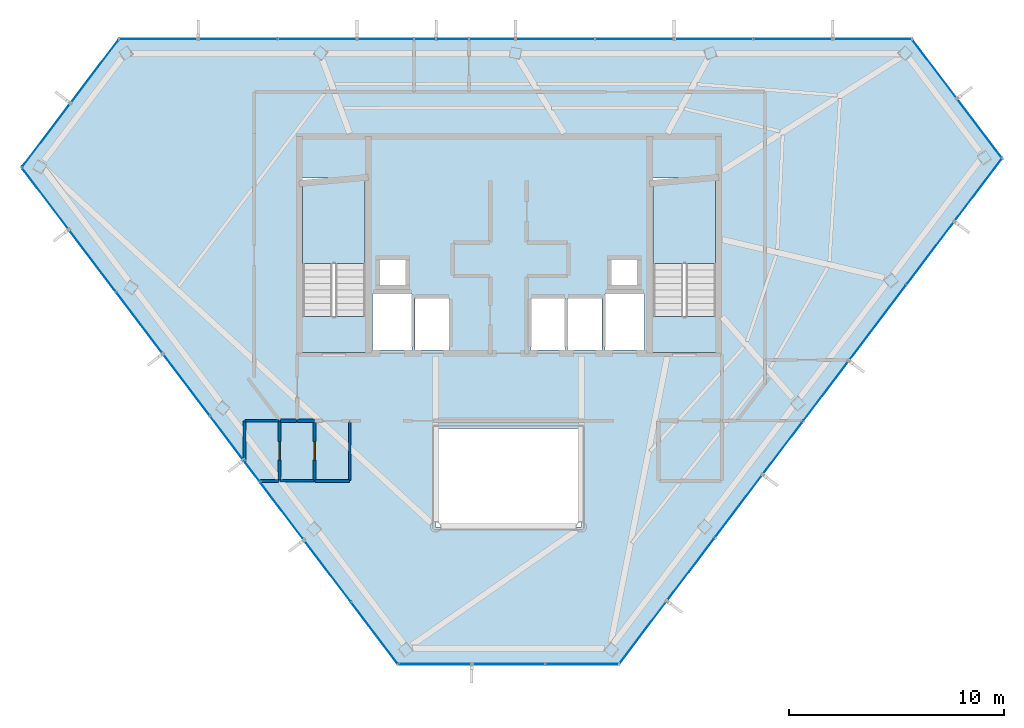
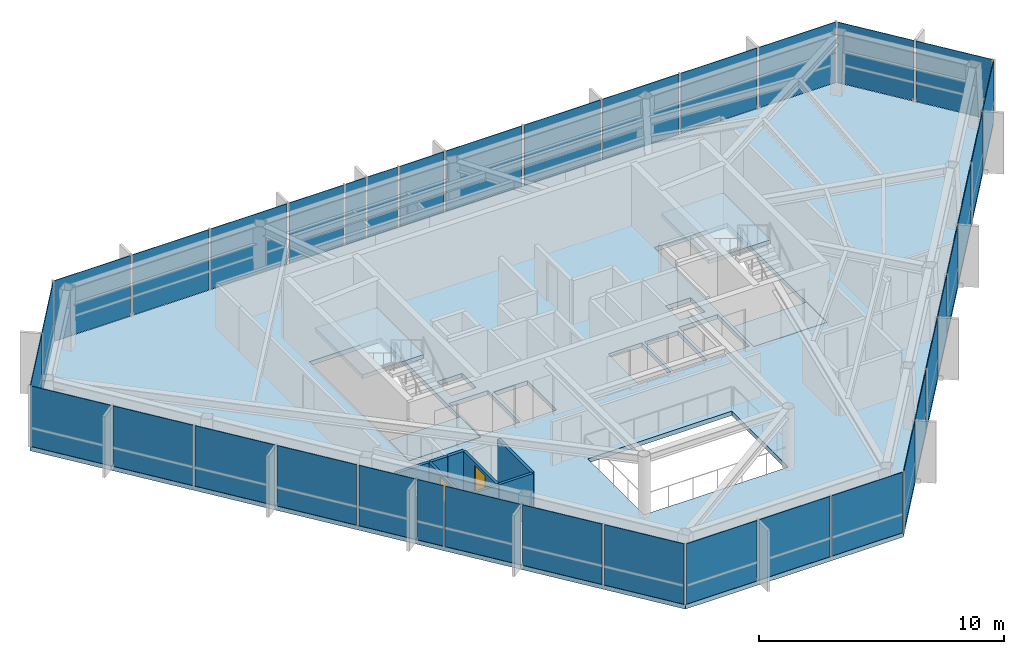
# One storey, part 21 of 24: 36 plates, 10 walls, 5 slabs, 2 doors, 2 openings, 8 elements without a shape of their own.
"""IFC4 building model written with IfcOpenShell, lengths in metres."""

from ifc_helpers import new_model, si_unit, direction, frame, frame_2d, origin, origin_2d, place, context, subcontext, project, spatial, polyline, rectangle, outline, extrude, material, layer, layer_set, type_object, element, fill, aggregate, save


model = new_model("IFC4")

# Units and contexts
model_context = context("Model", 3, precision=1e-05, world=origin(), true_north=direction((0.0, 1.0)))
body_context = subcontext(model_context, "Body", "Model", "MODEL_VIEW")
ifc_project = project(units=[si_unit("LENGTHUNIT", "METRE"), si_unit("AREAUNIT", "SQUARE_METRE"), si_unit("VOLUMEUNIT", "CUBIC_METRE"), si_unit("PLANEANGLEUNIT", "RADIAN"), si_unit("MASSUNIT", "GRAM", prefix="KILO")], contexts=[model_context])

# Site, building, storey
site_placement = place(None, origin())
site = spatial("IfcSite", under=ifc_project, at=site_placement, CompositionType="ELEMENT")
building_placement = place(site_placement, origin())
building = spatial("IfcBuilding", under=site, at=building_placement, Name="Zarrinselat Tower", CompositionType="ELEMENT")
storey_placement = place(building_placement, frame((0.0, 0.0, 249.56005859375)))
storey = spatial("IfcBuildingStorey", under=building, at=storey_placement, Name="L63", CompositionType="ELEMENT", Elevation=249.56005859375)

# Curtain wall, plates
ifc_material_1 = material(Name="Extruded Aluminium Alloy EN AW-6063 T6", Category="aluminium")
ifc_layer_1 = layer(ifc_material_1, 0.169921875)
ifc_layer_set_1 = layer_set([ifc_layer_1], Name="Extruded Aluminium Alloy EN AW-6063 T6")
curtain_wall_type = type_object("IfcCurtainWallType", Name="CWS-RES", PredefinedType="NOTDEFINED", material=ifc_layer_set_1)
curtain_wall_1_placement = place(storey_placement, origin())
curtain_wall_1 = element("IfcCurtainWall", 1, at=curtain_wall_1_placement, inside=storey, type_object=curtain_wall_type, Name="L63 Unitised Curtain Wall CW-L63-E01", PredefinedType="NOTDEFINED")
ifc_material_2 = material(Name="Double Low-E Laminated Solar Glass", Category="glass")
ifc_layer_2 = layer(ifc_material_2, 0.028076171875)
ifc_layer_set_2 = layer_set([ifc_layer_2], Name="Double Low-E Laminated Solar Glass")
plate_type = type_object("IfcPlateType", Name="PLT-CW-GL28", PredefinedType="CURTAIN_PANEL", material=ifc_layer_set_2)
plate_1_placement = place(storey_placement, frame((55.352294921875, 47.944580078125, 0.02001953125), z_axis=(0.0, 0.0, 1.0), x_axis=(-1.0, 0.0, 0.0)))
plate_1 = element("IfcPlate", 2, at=plate_1_placement, type_object=plate_type, Name="CW-L63-E01 Vision Glass Panel 1", PredefinedType="CURTAIN_PANEL", context=body_context, shape_type="SweptSolid", body=[
    extrude(rectangle(XDim=3.594482421875, YDim=0.028076171875, at=origin_2d()), origin(), (0.0, 0.0, 1.0), 3.010009765625),
])
plate_2_placement = place(storey_placement, frame((51.65771484375, 47.944580078125, 0.02001953125), z_axis=(0.0, 0.0, 1.0), x_axis=(-1.0, 0.0, 0.0)))
plate_2 = element("IfcPlate", 3, at=plate_2_placement, type_object=plate_type, Name="CW-L63-E01 Vision Glass Panel 2", PredefinedType="CURTAIN_PANEL", context=body_context, shape_type="SweptSolid", body=[
    extrude(rectangle(XDim=3.594482421875, YDim=0.028076171875, at=origin_2d()), origin(), (0.0, 0.0, 1.0), 3.010009765625),
])
plate_3_placement = place(storey_placement, frame((47.963134765625, 47.944580078125, 0.02001953125), z_axis=(0.0, 0.0, 1.0), x_axis=(-1.0, 0.0, 0.0)))
plate_3 = element("IfcPlate", 4, at=plate_3_placement, type_object=plate_type, Name="CW-L63-E01 Vision Glass Panel 3", PredefinedType="CURTAIN_PANEL", context=body_context, shape_type="SweptSolid", body=[
    extrude(rectangle(XDim=3.594482421875, YDim=0.028076171875, at=origin_2d()), origin(), (0.0, 0.0, 1.0), 3.010009765625),
])
plate_4_placement = place(storey_placement, frame((44.2685546875, 47.944580078125, 0.02001953125), z_axis=(0.0, 0.0, 1.0), x_axis=(-1.0, 0.0, 0.0)))
plate_4 = element("IfcPlate", 5, at=plate_4_placement, type_object=plate_type, Name="CW-L63-E01 Vision Glass Panel 4", PredefinedType="CURTAIN_PANEL", context=body_context, shape_type="SweptSolid", body=[
    extrude(rectangle(XDim=3.594482421875, YDim=0.028076171875, at=origin_2d()), origin(), (0.0, 0.0, 1.0), 3.010009765625),
])
plate_5_placement = place(storey_placement, frame((40.573974609375, 47.944580078125, 0.02001953125), z_axis=(0.0, 0.0, 1.0), x_axis=(-1.0, 0.0, 0.0)))
plate_5 = element("IfcPlate", 6, at=plate_5_placement, type_object=plate_type, Name="CW-L63-E01 Vision Glass Panel 5", PredefinedType="CURTAIN_PANEL", context=body_context, shape_type="SweptSolid", body=[
    extrude(rectangle(XDim=3.594482421875, YDim=0.028076171875, at=origin_2d()), origin(), (0.0, 0.0, 1.0), 3.010009765625),
])
plate_6_placement = place(storey_placement, frame((37.638427734375, 47.944580078125, 0.02001953125), z_axis=(0.0, 0.0, 1.0), x_axis=(-1.0, 0.0, 0.0)))
plate_6 = element("IfcPlate", 7, at=plate_6_placement, type_object=plate_type, Name="CW-L63-E01 Vision Glass Panel 6", PredefinedType="CURTAIN_PANEL", context=body_context, shape_type="SweptSolid", body=[
    extrude(rectangle(XDim=2.07666015625, YDim=0.028076171875, at=origin_2d()), origin(), (0.0, 0.0, 1.0), 3.010009765625),
])
plate_7_placement = place(storey_placement, frame((35.791015625, 47.944580078125, 0.02001953125), z_axis=(0.0, 0.0, 1.0), x_axis=(-1.0, 0.0, 0.0)))
plate_7 = element("IfcPlate", 8, at=plate_7_placement, type_object=plate_type, Name="CW-L63-E01 Vision Glass Panel 7", PredefinedType="CURTAIN_PANEL", context=body_context, shape_type="SweptSolid", body=[
    extrude(rectangle(XDim=1.41796875, YDim=0.028076171875, at=origin_2d()), origin(), (0.0, 0.0, 1.0), 3.010009765625),
])
plate_8_placement = place(storey_placement, frame((34.51611328125, 47.944580078125, 0.02001953125), z_axis=(0.0, 0.0, 1.0), x_axis=(-1.0, 0.0, 0.0)))
plate_8 = element("IfcPlate", 9, at=plate_8_placement, type_object=plate_type, Name="CW-L63-E01 Vision Glass Panel 8", PredefinedType="CURTAIN_PANEL", context=body_context, shape_type="SweptSolid", body=[
    extrude(rectangle(XDim=0.93212890625, YDim=0.028076171875, at=origin_2d()), origin(), (0.0, 0.0, 1.0), 3.010009765625),
])
plate_9_placement = place(storey_placement, frame((32.668701171875, 47.944580078125, 0.02001953125), z_axis=(0.0, 0.0, 1.0), x_axis=(-1.0, 0.0, 0.0)))
plate_9 = element("IfcPlate", 10, at=plate_9_placement, type_object=plate_type, Name="CW-L63-E01 Vision Glass Panel 9", PredefinedType="CURTAIN_PANEL", context=body_context, shape_type="SweptSolid", body=[
    extrude(rectangle(XDim=2.5625, YDim=0.028076171875, at=origin_2d()), origin(), (0.0, 0.0, 1.0), 3.010009765625),
])
plate_10_placement = place(storey_placement, frame((29.490234375, 47.944580078125, 0.02001953125), z_axis=(0.0, 0.0, 1.0), x_axis=(-1.0, 0.0, 0.0)))
plate_10 = element("IfcPlate", 11, at=plate_10_placement, type_object=plate_type, Name="CW-L63-E01 Vision Glass Panel 10", PredefinedType="CURTAIN_PANEL", context=body_context, shape_type="SweptSolid", body=[
    extrude(rectangle(XDim=3.594482421875, YDim=0.028076171875, at=origin_2d()), origin(), (0.0, 0.0, 1.0), 3.010009765625),
])
plate_11_placement = place(storey_placement, frame((25.795654296875, 47.944580078125, 0.02001953125), z_axis=(0.0, 0.0, 1.0), x_axis=(-1.0, 0.0, 0.0)))
plate_11 = element("IfcPlate", 12, at=plate_11_placement, type_object=plate_type, Name="CW-L63-E01 Vision Glass Panel 11", PredefinedType="CURTAIN_PANEL", context=body_context, shape_type="SweptSolid", body=[
    extrude(rectangle(XDim=3.594482421875, YDim=0.028076171875, at=origin_2d()), origin(), (0.0, 0.0, 1.0), 3.010009765625),
])
plate_12_placement = place(storey_placement, frame((22.10107421875, 47.944580078125, 0.02001953125), z_axis=(0.0, 0.0, 1.0), x_axis=(-1.0, 0.0, 0.0)))
plate_12 = element("IfcPlate", 13, at=plate_12_placement, type_object=plate_type, Name="CW-L63-E01 Vision Glass Panel 12", PredefinedType="CURTAIN_PANEL", context=body_context, shape_type="SweptSolid", body=[
    extrude(rectangle(XDim=3.594482421875, YDim=0.028076171875, at=origin_2d()), origin(), (0.0, 0.0, 1.0), 3.010009765625),
])
aggregate(curtain_wall_1, [plate_1, plate_2, plate_3, plate_4, plate_5, plate_6, plate_7, plate_8, plate_9, plate_10, plate_11, plate_12])

curtain_wall_2_placement = place(storey_placement, origin())
curtain_wall_2 = element("IfcCurtainWall", 14, at=curtain_wall_2_placement, inside=storey, type_object=curtain_wall_type, Name="L63 Unitised Curtain Wall CW-L63-E02", PredefinedType="NOTDEFINED")
plate_13_placement = place(storey_placement, frame((19.119140625, 46.447021484375, 0.02001953125), z_axis=(0.0, 0.0, 1.0), x_axis=(-0.603861530965, -0.797089236799, 0.0)))
plate_13 = element("IfcPlate", 15, at=plate_13_placement, type_object=plate_type, Name="CW-L63-E02 Vision Glass Panel 1", PredefinedType="CURTAIN_PANEL", context=body_context, shape_type="SweptSolid", body=[
    extrude(rectangle(XDim=3.657470703125, YDim=0.028076171875, at=origin_2d()), origin(), (0.0, 0.0, 1.0), 3.010009765625),
])
plate_14_placement = place(storey_placement, frame((16.85009765625, 43.451904296875, 0.02001953125), z_axis=(0.0, 0.0, 1.0), x_axis=(-0.603861530965, -0.797089236799, 0.0)))
plate_14 = element("IfcPlate", 16, at=plate_14_placement, type_object=plate_type, Name="CW-L63-E02 Vision Glass Panel 2", PredefinedType="CURTAIN_PANEL", context=body_context, shape_type="SweptSolid", body=[
    extrude(rectangle(XDim=3.657470703125, YDim=0.028076171875, at=origin_2d()), origin(), (0.0, 0.0, 1.0), 3.010009765625),
])
aggregate(curtain_wall_2, [plate_13, plate_14])

curtain_wall_3_placement = place(storey_placement, origin())
curtain_wall_3 = element("IfcCurtainWall", 17, at=curtain_wall_3_placement, inside=storey, type_object=curtain_wall_type, Name="L63 Unitised Curtain Wall CW-L63-E03", PredefinedType="NOTDEFINED")
plate_15_placement = place(storey_placement, frame((16.81201171875, 40.50732421875, 0.02001953125), z_axis=(0.0, 0.0, 1.0), x_axis=(0.603857290282, -0.797092449452, 0.0)))
plate_15 = element("IfcPlate", 18, at=plate_15_placement, type_object=plate_type, Name="CW-L63-E03 Vision Glass Panel 1", PredefinedType="CURTAIN_PANEL", context=body_context, shape_type="SweptSolid", body=[
    extrude(rectangle(XDim=3.53076171875, YDim=0.028076171875, at=origin_2d()), origin(), (0.0, 0.0, 1.0), 3.010009765625),
])
plate_16_placement = place(storey_placement, frame((19.00439453125, 37.61328125, 0.02001953125), z_axis=(0.0, 0.0, 1.0), x_axis=(0.603857290282, -0.797092449452, 0.0)))
plate_16 = element("IfcPlate", 19, at=plate_16_placement, type_object=plate_type, Name="CW-L63-E03 Vision Glass Panel 2", PredefinedType="CURTAIN_PANEL", context=body_context, shape_type="SweptSolid", body=[
    extrude(rectangle(XDim=3.53076171875, YDim=0.028076171875, at=origin_2d()), origin(), (0.0, 0.0, 1.0), 3.010009765625),
])
plate_17_placement = place(storey_placement, frame((21.19677734375, 34.719482421875, 0.02001953125), z_axis=(0.0, 0.0, 1.0), x_axis=(0.603857290282, -0.797092449452, 0.0)))
plate_17 = element("IfcPlate", 20, at=plate_17_placement, type_object=plate_type, Name="CW-L63-E03 Vision Glass Panel 3", PredefinedType="CURTAIN_PANEL", context=body_context, shape_type="SweptSolid", body=[
    extrude(rectangle(XDim=3.53076171875, YDim=0.028076171875, at=origin_2d()), origin(), (0.0, 0.0, 1.0), 3.010009765625),
])
plate_18_placement = place(storey_placement, frame((23.38916015625, 31.825439453125, 0.02001953125), z_axis=(0.0, 0.0, 1.0), x_axis=(0.603857290282, -0.797092449452, 0.0)))
plate_18 = element("IfcPlate", 21, at=plate_18_placement, type_object=plate_type, Name="CW-L63-E03 Vision Glass Panel 4", PredefinedType="CURTAIN_PANEL", context=body_context, shape_type="SweptSolid", body=[
    extrude(rectangle(XDim=3.53076171875, YDim=0.028076171875, at=origin_2d()), origin(), (0.0, 0.0, 1.0), 3.010009765625),
])
plate_19_placement = place(storey_placement, frame((25.268798828125, 29.344482421875, 0.02001953125), z_axis=(0.0, 0.0, 1.0), x_axis=(0.603857290282, -0.797092449452, 0.0)))
plate_19 = element("IfcPlate", 22, at=plate_19_placement, type_object=plate_type, Name="CW-L63-E03 Vision Glass Panel 5", PredefinedType="CURTAIN_PANEL", context=body_context, shape_type="SweptSolid", body=[
    extrude(rectangle(XDim=2.49462890625, YDim=0.028076171875, at=origin_2d()), origin(), (0.0, 0.0, 1.0), 3.010009765625),
])
plate_20_placement = place(storey_placement, frame((26.4296875, 27.81201171875, 0.02001953125), z_axis=(0.0, 0.0, 1.0), x_axis=(0.603857290282, -0.797092449452, 0.0)))
plate_20 = element("IfcPlate", 23, at=plate_20_placement, type_object=plate_type, Name="CW-L63-E03 Vision Glass Panel 6", PredefinedType="CURTAIN_PANEL", context=body_context, shape_type="SweptSolid", body=[
    extrude(rectangle(XDim=1.150146484375, YDim=0.028076171875, at=origin_2d()), origin(), (0.0, 0.0, 1.0), 3.010009765625),
])
plate_21_placement = place(storey_placement, frame((27.838623046875, 25.9521484375, 0.02001953125), z_axis=(0.0, 0.0, 1.0), x_axis=(0.603857290282, -0.797092449452, 0.0)))
plate_21 = element("IfcPlate", 24, at=plate_21_placement, type_object=plate_type, Name="CW-L63-E03 Vision Glass Panel 7", PredefinedType="CURTAIN_PANEL", context=body_context, shape_type="SweptSolid", body=[
    extrude(rectangle(XDim=3.31640625, YDim=0.028076171875, at=origin_2d()), origin(), (0.0, 0.0, 1.0), 3.010009765625),
])
plate_22_placement = place(storey_placement, frame((29.96630859375, 23.1435546875, 0.02001953125), z_axis=(0.0, 0.0, 1.0), x_axis=(0.603857290282, -0.797092449452, 0.0)))
plate_22 = element("IfcPlate", 25, at=plate_22_placement, type_object=plate_type, Name="CW-L63-E03 Vision Glass Panel 8", PredefinedType="CURTAIN_PANEL", context=body_context, shape_type="SweptSolid", body=[
    extrude(rectangle(XDim=3.53076171875, YDim=0.028076171875, at=origin_2d()), origin(), (0.0, 0.0, 1.0), 3.010009765625),
])
plate_23_placement = place(storey_placement, frame((32.15869140625, 20.24951171875, 0.02001953125), z_axis=(0.0, 0.0, 1.0), x_axis=(0.603857290282, -0.797092449452, 0.0)))
plate_23 = element("IfcPlate", 26, at=plate_23_placement, type_object=plate_type, Name="CW-L63-E03 Vision Glass Panel 9", PredefinedType="CURTAIN_PANEL", context=body_context, shape_type="SweptSolid", body=[
    extrude(rectangle(XDim=3.53076171875, YDim=0.028076171875, at=origin_2d()), origin(), (0.0, 0.0, 1.0), 3.010009765625),
])
aggregate(curtain_wall_3, [plate_15, plate_16, plate_17, plate_18, plate_19, plate_20, plate_21, plate_22, plate_23])

curtain_wall_4_placement = place(storey_placement, origin())
curtain_wall_4 = element("IfcCurtainWall", 27, at=curtain_wall_4_placement, inside=storey, type_object=curtain_wall_type, Name="L63 Unitised Curtain Wall CW-L63-E04", PredefinedType="NOTDEFINED")
plate_24_placement = place(storey_placement, frame((34.969970703125, 18.802490234375, 0.02001953125), z_axis=(0.0, 0.0, 1.0), x_axis=(1.0, 0.0, 0.0)))
plate_24 = element("IfcPlate", 28, at=plate_24_placement, type_object=plate_type, Name="CW-L63-E04 Vision Glass Panel 1", PredefinedType="CURTAIN_PANEL", context=body_context, shape_type="SweptSolid", body=[
    extrude(rectangle(XDim=3.330078125, YDim=0.028076171875, at=origin_2d()), origin(), (0.0, 0.0, 1.0), 3.010009765625),
])
plate_25_placement = place(storey_placement, frame((38.39990234375, 18.802490234375, 0.02001953125), z_axis=(0.0, 0.0, 1.0), x_axis=(1.0, 0.0, 0.0)))
plate_25 = element("IfcPlate", 29, at=plate_25_placement, type_object=plate_type, Name="CW-L63-E04 Vision Glass Panel 2", PredefinedType="CURTAIN_PANEL", context=body_context, shape_type="SweptSolid", body=[
    extrude(rectangle(XDim=3.330078125, YDim=0.028076171875, at=origin_2d()), origin(), (0.0, 0.0, 1.0), 3.010009765625),
])
plate_26_placement = place(storey_placement, frame((41.830078125, 18.802490234375, 0.02001953125), z_axis=(0.0, 0.0, 1.0), x_axis=(1.0, 0.0, 0.0)))
plate_26 = element("IfcPlate", 30, at=plate_26_placement, type_object=plate_type, Name="CW-L63-E04 Vision Glass Panel 3", PredefinedType="CURTAIN_PANEL", context=body_context, shape_type="SweptSolid", body=[
    extrude(rectangle(XDim=3.330078125, YDim=0.028076171875, at=origin_2d()), origin(), (0.0, 0.0, 1.0), 3.010009765625),
])
aggregate(curtain_wall_4, [plate_24, plate_25, plate_26])

curtain_wall_5_placement = place(storey_placement, origin())
curtain_wall_5 = element("IfcCurtainWall", 31, at=curtain_wall_5_placement, inside=storey, type_object=curtain_wall_type, Name="L63 Unitised Curtain Wall CW-L63-E05", PredefinedType="NOTDEFINED")
plate_27_placement = place(storey_placement, frame((44.66162109375, 20.2763671875, 0.02001953125), z_axis=(0.0, 0.0, 1.0), x_axis=(0.603855865899, 0.797093528527, 0.0)))
plate_27 = element("IfcPlate", 32, at=plate_27_placement, type_object=plate_type, Name="CW-L63-E05 Vision Glass Panel 1", PredefinedType="CURTAIN_PANEL", context=body_context, shape_type="SweptSolid", body=[
    extrude(rectangle(XDim=3.598388671875, YDim=0.028076171875, at=origin_2d()), origin(), (0.0, 0.0, 1.0), 3.010009765625),
])
plate_28_placement = place(storey_placement, frame((46.89501953125, 23.224365234375, 0.02001953125), z_axis=(0.0, 0.0, 1.0), x_axis=(0.603855865899, 0.797093528527, 0.0)))
plate_28 = element("IfcPlate", 33, at=plate_28_placement, type_object=plate_type, Name="CW-L63-E05 Vision Glass Panel 2", PredefinedType="CURTAIN_PANEL", context=body_context, shape_type="SweptSolid", body=[
    extrude(rectangle(XDim=3.598388671875, YDim=0.028076171875, at=origin_2d()), origin(), (0.0, 0.0, 1.0), 3.010009765625),
])
plate_29_placement = place(storey_placement, frame((49.128173828125, 26.172119140625, 0.02001953125), z_axis=(0.0, 0.0, 1.0), x_axis=(0.603855865899, 0.797093528527, 0.0)))
plate_29 = element("IfcPlate", 34, at=plate_29_placement, type_object=plate_type, Name="CW-L63-E05 Vision Glass Panel 3", PredefinedType="CURTAIN_PANEL", context=body_context, shape_type="SweptSolid", body=[
    extrude(rectangle(XDim=3.598388671875, YDim=0.028076171875, at=origin_2d()), origin(), (0.0, 0.0, 1.0), 3.010009765625),
])
plate_30_placement = place(storey_placement, frame((51.179443359375, 28.8798828125, 0.02001953125), z_axis=(0.0, 0.0, 1.0), x_axis=(0.603855865899, 0.797093528527, 0.0)))
plate_30 = element("IfcPlate", 35, at=plate_30_placement, type_object=plate_type, Name="CW-L63-E05 Vision Glass Panel 4", PredefinedType="CURTAIN_PANEL", context=body_context, shape_type="SweptSolid", body=[
    extrude(rectangle(XDim=2.995849609375, YDim=0.028076171875, at=origin_2d()), origin(), (0.0, 0.0, 1.0), 3.010009765625),
])
plate_31_placement = place(storey_placement, frame((53.18896484375, 31.532470703125, 0.02001953125), z_axis=(0.0, 0.0, 1.0), x_axis=(0.603855865899, 0.797093528527, 0.0)))
plate_31 = element("IfcPlate", 36, at=plate_31_placement, type_object=plate_type, Name="CW-L63-E05 Vision Glass Panel 5", PredefinedType="CURTAIN_PANEL", context=body_context, shape_type="SweptSolid", body=[
    extrude(rectangle(XDim=3.459716796875, YDim=0.028076171875, at=origin_2d()), origin(), (0.0, 0.0, 1.0), 3.010009765625),
])
plate_32_placement = place(storey_placement, frame((55.60400390625, 34.720458984375, 0.02001953125), z_axis=(0.0, 0.0, 1.0), x_axis=(0.603855865899, 0.797093528527, 0.0)))
plate_32 = element("IfcPlate", 37, at=plate_32_placement, type_object=plate_type, Name="CW-L63-E05 Vision Glass Panel 6", PredefinedType="CURTAIN_PANEL", context=body_context, shape_type="SweptSolid", body=[
    extrude(rectangle(XDim=4.33935546875, YDim=0.028076171875, at=origin_2d()), origin(), (0.0, 0.0, 1.0), 3.010009765625),
])
plate_33_placement = place(storey_placement, frame((58.06103515625, 37.9638671875, 0.02001953125), z_axis=(0.0, 0.0, 1.0), x_axis=(0.603855865899, 0.797093528527, 0.0)))
plate_33 = element("IfcPlate", 38, at=plate_33_placement, type_object=plate_type, Name="CW-L63-E05 Vision Glass Panel 7", PredefinedType="CURTAIN_PANEL", context=body_context, shape_type="SweptSolid", body=[
    extrude(rectangle(XDim=3.598388671875, YDim=0.028076171875, at=origin_2d()), origin(), (0.0, 0.0, 1.0), 3.010009765625),
])
plate_34_placement = place(storey_placement, frame((60.294189453125, 40.91162109375, 0.02001953125), z_axis=(0.0, 0.0, 1.0), x_axis=(0.603855865899, 0.797093528527, 0.0)))
plate_34 = element("IfcPlate", 39, at=plate_34_placement, type_object=plate_type, Name="CW-L63-E05 Vision Glass Panel 8", PredefinedType="CURTAIN_PANEL", context=body_context, shape_type="SweptSolid", body=[
    extrude(rectangle(XDim=3.598388671875, YDim=0.028076171875, at=origin_2d()), origin(), (0.0, 0.0, 1.0), 3.010009765625),
])
aggregate(curtain_wall_5, [plate_27, plate_28, plate_29, plate_30, plate_31, plate_32, plate_33, plate_34])

curtain_wall_6_placement = place(storey_placement, origin())
curtain_wall_6 = element("IfcCurtainWall", 40, at=curtain_wall_6_placement, inside=storey, type_object=curtain_wall_type, Name="L63 Unitised Curtain Wall CW-L63-E06", PredefinedType="NOTDEFINED")
plate_35_placement = place(storey_placement, frame((60.358154296875, 43.775390625, 0.02001953125), z_axis=(0.0, 0.0, 1.0), x_axis=(-0.603849681802, 0.797098213389, 0.0)))
plate_35 = element("IfcPlate", 41, at=plate_35_placement, type_object=plate_type, Name="CW-L63-E06 Vision Glass Panel 1", PredefinedType="CURTAIN_PANEL", context=body_context, shape_type="SweptSolid", body=[
    extrude(rectangle(XDim=3.386962890625, YDim=0.028076171875, at=origin_2d()), origin(), (0.0, 0.0, 1.0), 3.010009765625),
])
plate_36_placement = place(storey_placement, frame((58.25244140625, 46.5546875, 0.02001953125), z_axis=(0.0, 0.0, 1.0), x_axis=(-0.603849681802, 0.797098213389, 0.0)))
plate_36 = element("IfcPlate", 42, at=plate_36_placement, type_object=plate_type, Name="CW-L63-E06 Vision Glass Panel 2", PredefinedType="CURTAIN_PANEL", context=body_context, shape_type="SweptSolid", body=[
    extrude(rectangle(XDim=3.386962890625, YDim=0.028076171875, at=origin_2d()), origin(), (0.0, 0.0, 1.0), 3.010009765625),
])
aggregate(curtain_wall_6, [plate_35, plate_36])

# Slabs
ifc_material_3 = material(Name="Concrete C40/50", Category="concrete")
ifc_layer_3 = layer(ifc_material_3, 0.219970703125)
ifc_layer_set_3 = layer_set([ifc_layer_3], Name="Concrete C40/50")
slab_type_1 = type_object("IfcSlabType", Name="SLB-FLOOR-220-SL-RS220", PredefinedType="FLOOR", material=ifc_layer_set_3)
slab_1_placement = place(storey_placement, frame((0.0, 0.0, -0.219970703125)))
element("IfcSlab", 43, at=slab_1_placement, inside=storey, type_object=slab_type_1, Name="L63 Primary Structural Slab", PredefinedType="FLOOR", context=body_context, shape_type="SweptSolid", body=[
    extrude(outline(polyline([(57.19970703125, 47.944580078125), (20.253662109375, 47.944580078125), (15.7158203125, 41.954345703125), (33.2548828125, 18.802490234375), (43.544921875, 18.802490234375), (61.410888671875, 42.385498046875), (57.19970703125, 47.944580078125)]), holes=[polyline([(41.800048828125, 25.199951171875), (35.0, 25.199951171875), (35.0, 29.800048828125), (41.800048828125, 29.800048828125), (41.800048828125, 25.199951171875)]), polyline([(35.64990234375, 33.449951171875), (34.050048828125, 33.449951171875), (34.050048828125, 35.85009765625), (35.64990234375, 35.85009765625), (35.64990234375, 33.449951171875)]), polyline([(41.050048828125, 33.449951171875), (39.449951171875, 33.449951171875), (39.449951171875, 35.85009765625), (41.050048828125, 35.85009765625), (41.050048828125, 33.449951171875)]), polyline([(41.14990234375, 33.449951171875), (41.14990234375, 35.85009765625), (42.75, 35.85009765625), (42.75, 33.449951171875), (41.14990234375, 33.449951171875)]), polyline([(32.06005859375, 33.449951171875), (32.06005859375, 36.050048828125), (33.89990234375, 36.050048828125), (33.89990234375, 33.449951171875), (32.06005859375, 33.449951171875)]), polyline([(44.739990234375, 33.449951171875), (42.89990234375, 33.449951171875), (42.89990234375, 36.050048828125), (44.739990234375, 36.050048828125), (44.739990234375, 33.449951171875)]), polyline([(33.60009765625, 36.47998046875), (32.419921875, 36.47998046875), (32.419921875, 37.639892578125), (33.60009765625, 37.639892578125), (33.60009765625, 36.47998046875)]), polyline([(44.3798828125, 36.47998046875), (43.199951171875, 36.47998046875), (43.199951171875, 37.639892578125), (44.3798828125, 37.639892578125), (44.3798828125, 36.47998046875)]), polyline([(31.985107421875, 33.324951171875), (28.60498046875, 33.324951171875), (28.60498046875, 41.47509765625), (31.985107421875, 41.47509765625), (31.985107421875, 33.324951171875)]), polyline([(48.324951171875, 33.324951171875), (44.875, 33.324951171875), (44.875, 41.47509765625), (48.324951171875, 41.47509765625), (48.324951171875, 33.324951171875)])]), origin(), (0.0, 0.0, 1.0), 0.219970703125),
])
slab_2_placement = place(storey_placement, frame((0.0, 0.0, -0.219970703125)))
element("IfcSlab", 44, at=slab_2_placement, inside=storey, type_object=slab_type_1, Name="L63 Stair ST-1-FL1 Structural Floor Landing", PredefinedType="FLOOR", context=body_context, shape_type="SweptSolid", body=[
    extrude(outline(polyline([(31.97998046875, 33.330078125), (31.97998046875, 35.0), (28.610107421875, 35.0), (28.610107421875, 33.330078125), (31.97998046875, 33.330078125)])), origin(), (0.0, 0.0, 1.0), 0.219970703125),
])
slab_3_placement = place(storey_placement, frame((0.0, 0.0, -0.219970703125)))
element("IfcSlab", 45, at=slab_3_placement, inside=storey, type_object=slab_type_1, Name="L63 Stair ST-2-FL1 Structural Floor Landing", PredefinedType="FLOOR", context=body_context, shape_type="SweptSolid", body=[
    extrude(outline(polyline([(48.320068359375, 33.330078125), (48.320068359375, 35.0), (44.8798828125, 35.0), (44.8798828125, 33.330078125), (48.320068359375, 33.330078125)])), origin(), (0.0, 0.0, 1.0), 0.219970703125),
])

# Stair, slab
ifc_material_4 = material(Name="Concrete C40/50", Category="concrete")
stair_type = type_object("IfcStairType", Name="STR-CORE-155", PredefinedType="HALF_TURN_STAIR", material=ifc_material_4)
stair_1_placement = place(storey_placement, origin())
stair_1 = element("IfcStair", 46, at=stair_1_placement, inside=storey, type_object=stair_type, Name="L63 Core Exit Stair 1", PredefinedType="HALF_TURN_STAIR")
ifc_material_5 = material(Name="Concrete C40/50", Category="concrete")
ifc_layer_4 = layer(ifc_material_5, 0.18994140625)
ifc_layer_set_4 = layer_set([ifc_layer_4], Name="Concrete C40/50")
slab_type_2 = type_object("IfcSlabType", Name="SLB-LND-190", PredefinedType="LANDING", material=ifc_layer_set_4)
slab_4_placement = place(storey_placement, frame((0.0, 0.0, 1.5)))
slab_4 = element("IfcSlab", 47, at=slab_4_placement, type_object=slab_type_2, Name="ST-1 landing 1", PredefinedType="LANDING", context=body_context, shape_type="SweptSolid", body=[
    extrude(outline(polyline([(31.719970703125, 37.47998046875), (31.719970703125, 41.35009765625), (28.800048828125, 41.35009765625), (28.800048828125, 37.47998046875), (31.719970703125, 37.47998046875)])), origin(), (0.0, 0.0, 1.0), 0.199951171875),
])
aggregate(stair_1, [slab_4])

stair_2_placement = place(storey_placement, origin())
stair_2 = element("IfcStair", 48, at=stair_2_placement, inside=storey, type_object=stair_type, Name="L63 Core Exit Stair 2", PredefinedType="HALF_TURN_STAIR")
slab_5_placement = place(storey_placement, frame((0.0, 0.0, 1.5)))
slab_5 = element("IfcSlab", 49, at=slab_5_placement, type_object=slab_type_2, Name="ST-2 landing 1", PredefinedType="LANDING", context=body_context, shape_type="SweptSolid", body=[
    extrude(outline(polyline([(48.06005859375, 37.47998046875), (48.06005859375, 41.35009765625), (45.139892578125, 41.35009765625), (45.139892578125, 37.47998046875), (48.06005859375, 37.47998046875)])), origin(), (0.0, 0.0, 1.0), 0.199951171875),
])
aggregate(stair_2, [slab_5])

# Walls
ifc_material_6 = material(Name="Fire-Rated Gypsum Board Partition", Category="gypsum")
ifc_layer_5 = layer(ifc_material_6, 0.14990234375)
ifc_layer_set_5 = layer_set([ifc_layer_5], Name="Fire-Rated Gypsum Board Partition")
wall_type_1 = type_object("IfcWallType", Name="WAL-PART-EI60", PredefinedType="PARTITIONING", material=ifc_layer_set_5)
wall_1_placement = place(storey_placement, frame((28.570068359375, 30.14990234375, 0.0), z_axis=(0.0, 0.0, 1.0), x_axis=(1.0, 0.0, 0.0)))
element("IfcWall", 50, at=wall_1_placement, inside=storey, type_object=wall_type_1, Name="L63 Partition Wall 15", PredefinedType="PARTITIONING", context=body_context, shape_type="SweptSolid", body=[
    extrude(rectangle(XDim=0.784912109375, YDim=0.14990234375, at=frame_2d((0.392578125, 0.0))), origin(), (0.0, 0.0, 1.0), 2.199951171875),
])
wall_2_placement = place(storey_placement, frame((27.7646484375, 30.14990234375, 0.0), z_axis=(0.0, 0.0, 1.0), x_axis=(1.0, 0.0, 0.0)))
element("IfcWall", 51, at=wall_2_placement, inside=storey, type_object=wall_type_1, Name="L63 Partition Wall 21", PredefinedType="PARTITIONING", context=body_context, shape_type="SweptSolid", body=[
    extrude(rectangle(XDim=0.765380859375, YDim=0.14990234375, at=frame_2d((0.3828125, 0.0))), origin(), (0.0, 0.0, 1.0), 2.199951171875),
])
ifc_material_7 = material(Name="Fire-Rated Gypsum Board Partition", Category="gypsum")
ifc_layer_6 = layer(ifc_material_7, 0.1201171875)
ifc_layer_set_6 = layer_set([ifc_layer_6], Name="Fire-Rated Gypsum Board Partition")
wall_type_2 = type_object("IfcWallType", Name="WAL-PART-STD", PredefinedType="PARTITIONING", material=ifc_layer_set_6)
wall_3_placement = place(storey_placement, frame((27.75, 27.35009765625, 0.0), z_axis=(0.0, 0.0, 1.0), x_axis=(1.0, 0.0, 0.0)))
element("IfcWall", 52, at=wall_3_placement, inside=storey, type_object=wall_type_2, Name="L63 Partition Wall 40", PredefinedType="PARTITIONING", context=body_context, shape_type="SweptSolid", body=[
    extrude(rectangle(XDim=1.590087890625, YDim=0.1201171875, at=frame_2d((0.794921875, 0.0))), origin(), (0.0, 0.0, 1.0), 2.199951171875),
])

# Wall, opening, door
ifc_material_8 = material(Name="Fire-Rated Gypsum Board Partition", Category="gypsum")
ifc_layer_7 = layer(ifc_material_8, 0.135009765625)
ifc_layer_set_7 = layer_set([ifc_layer_7], Name="Fire-Rated Gypsum Board Partition")
wall_type_3 = type_object("IfcWallType", Name="WAL-PART-WET", PredefinedType="PARTITIONING", material=ifc_layer_set_7)
wall_4_placement = place(storey_placement, frame((29.360107421875, 27.3701171875, 0.0), z_axis=(0.0, 0.0, 1.0), x_axis=(0.0, 1.0, 0.0)))
wall_4 = element("IfcWall", 53, at=wall_4_placement, inside=storey, type_object=wall_type_3, Name="L63 Partition Wall 33", PredefinedType="PARTITIONING", context=body_context, shape_type="SweptSolid", body=[
    extrude(rectangle(XDim=2.759765625, YDim=0.135009765625, at=frame_2d((1.3798828125, 0.0))), origin(), (0.0, 0.0, 1.0), 2.199951171875),
])
opening_1_placement = place(wall_4_placement, frame((0.949951171875, 0.0, 0.0)))
opening_1 = element("IfcOpeningElement", 54, at=opening_1_placement, cuts=wall_4, Name="Opening ID-06", PredefinedType="OPENING", context=body_context, shape_type="SweptSolid", body=[
    extrude(rectangle(XDim=0.860107421875, YDim=2.050048828125, at=frame_2d((0.43017578125, 1.02490234375))), frame((0.0, 0.077392578125, 0.0), z_axis=(0.0, -1.0, 0.0), x_axis=(1.0, 0.0, 0.0)), (0.0, 0.0, 1.0), 0.155029296875),
])
ifc_material_9 = material(Name="Extruded Aluminium Alloy EN AW-6063 T6", Category="aluminium")
door_type = type_object("IfcDoorType", Name="DR-INT-WET-900", OperationType="NOTDEFINED", PredefinedType="DOOR", material=ifc_material_9)
door_1_placement = place(opening_1_placement, origin())
door_1 = element("IfcDoor", 55, at=door_1_placement, inside=storey, type_object=door_type, Name="L63 Interior Door P33", OperationType="SINGLE_SWING_LEFT", OverallHeight=2.050048828125, OverallWidth=0.860107421875, PredefinedType="DOOR", context=body_context, shape_type="SweptSolid", body=[
    extrude(rectangle(XDim=0.860107421875, YDim=2.050048828125, at=frame_2d((0.43017578125, 1.02490234375))), frame((0.0, 0.02490234375, 0.0), z_axis=(0.0, -1.0, 0.0), x_axis=(1.0, 0.0, 0.0)), (0.0, 0.0, 1.0), 0.050048828125),
])
fill(opening_1, door_1)

# Walls
wall_5_placement = place(storey_placement, frame((29.3798828125, 27.35009765625, 0.0), z_axis=(0.0, 0.0, 1.0), x_axis=(1.0, 0.0, 0.0)))
element("IfcWall", 56, at=wall_5_placement, inside=storey, type_object=wall_type_3, Name="L63 Partition Wall 34", PredefinedType="PARTITIONING", context=body_context, shape_type="SweptSolid", body=[
    extrude(rectangle(XDim=1.60009765625, YDim=0.135009765625, at=frame_2d((0.800048828125, 0.0))), origin(), (0.0, 0.0, 1.0), 2.199951171875),
])
wall_6_placement = place(storey_placement, frame((31.0, 27.3701171875, 0.0), z_axis=(0.0, 0.0, 1.0), x_axis=(0.0, 1.0, 0.0)))
element("IfcWall", 57, at=wall_6_placement, inside=storey, type_object=wall_type_3, Name="L63 Partition Wall 35", PredefinedType="PARTITIONING", context=body_context, shape_type="SweptSolid", body=[
    extrude(rectangle(XDim=2.759765625, YDim=0.135009765625, at=frame_2d((1.3798828125, 0.0))), origin(), (0.0, 0.0, 1.0), 2.199951171875),
])

# Wall, opening, door
wall_7_placement = place(storey_placement, frame((27.72998046875, 27.3701171875, 0.0), z_axis=(0.0, 0.0, 1.0), x_axis=(0.0, 1.0, 0.0)))
wall_7 = element("IfcWall", 58, at=wall_7_placement, inside=storey, type_object=wall_type_3, Name="L63 Partition Wall 36", PredefinedType="PARTITIONING", context=body_context, shape_type="SweptSolid", body=[
    extrude(rectangle(XDim=2.759765625, YDim=0.135009765625, at=frame_2d((1.3798828125, 0.0))), origin(), (0.0, 0.0, 1.0), 2.199951171875),
])
opening_2_placement = place(wall_7_placement, frame((0.949951171875, 0.0, 0.0)))
opening_2 = element("IfcOpeningElement", 59, at=opening_2_placement, cuts=wall_7, Name="Opening ID-06", PredefinedType="OPENING", context=body_context, shape_type="SweptSolid", body=[
    extrude(rectangle(XDim=0.860107421875, YDim=2.050048828125, at=frame_2d((0.43017578125, 1.02490234375))), frame((0.0, 0.077392578125, 0.0), z_axis=(0.0, -1.0, 0.0), x_axis=(1.0, 0.0, 0.0)), (0.0, 0.0, 1.0), 0.155029296875),
])
door_2_placement = place(opening_2_placement, origin())
door_2 = element("IfcDoor", 60, at=door_2_placement, inside=storey, type_object=door_type, Name="L63 Interior Door P36", OperationType="SINGLE_SWING_RIGHT", OverallHeight=2.050048828125, OverallWidth=0.860107421875, PredefinedType="DOOR", context=body_context, shape_type="SweptSolid", body=[
    extrude(rectangle(XDim=0.860107421875, YDim=2.050048828125, at=frame_2d((0.43017578125, 1.02490234375))), frame((0.0, 0.02490234375, 0.0), z_axis=(0.0, -1.0, 0.0), x_axis=(1.0, 0.0, 0.0)), (0.0, 0.0, 1.0), 0.050048828125),
])
fill(opening_2, door_2)

# Walls
wall_8_placement = place(storey_placement, frame((26.794677734375, 27.35009765625, 0.0), z_axis=(0.0, 0.0, 1.0), x_axis=(1.0, 0.0, 0.0)))
element("IfcWall", 61, at=wall_8_placement, inside=storey, type_object=wall_type_3, Name="L63 Partition Wall 37", PredefinedType="PARTITIONING", context=body_context, shape_type="SweptSolid", body=[
    extrude(rectangle(XDim=0.915283203125, YDim=0.135009765625, at=frame_2d((0.45751953125, 0.0))), origin(), (0.0, 0.0, 1.0), 2.199951171875),
])
wall_9_placement = place(storey_placement, frame((26.10009765625, 28.26220703125, 0.0), z_axis=(0.0, 0.0, 1.0), x_axis=(0.0, 1.0, 0.0)))
element("IfcWall", 62, at=wall_9_placement, inside=storey, type_object=wall_type_3, Name="L63 Partition Wall 38", PredefinedType="PARTITIONING", context=body_context, shape_type="SweptSolid", body=[
    extrude(rectangle(XDim=1.86767578125, YDim=0.135009765625, at=frame_2d((0.933837890625, 0.0))), origin(), (0.0, 0.0, 1.0), 2.199951171875),
])
wall_10_placement = place(storey_placement, frame((26.1201171875, 30.14990234375, 0.0), z_axis=(0.0, 0.0, 1.0), x_axis=(1.0, 0.0, 0.0)))
element("IfcWall", 63, at=wall_10_placement, inside=storey, type_object=wall_type_3, Name="L63 Partition Wall 39", PredefinedType="PARTITIONING", context=body_context, shape_type="SweptSolid", body=[
    extrude(rectangle(XDim=1.58984375, YDim=0.135009765625, at=frame_2d((0.794921875, 0.0))), origin(), (0.0, 0.0, 1.0), 2.199951171875),
])

save(model, "model.ifc")
